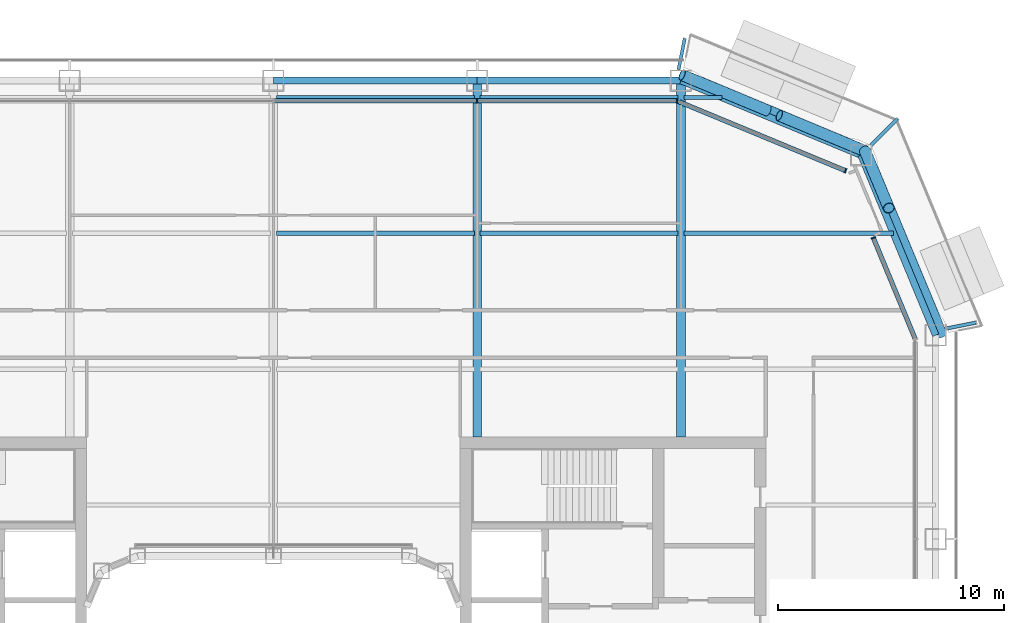
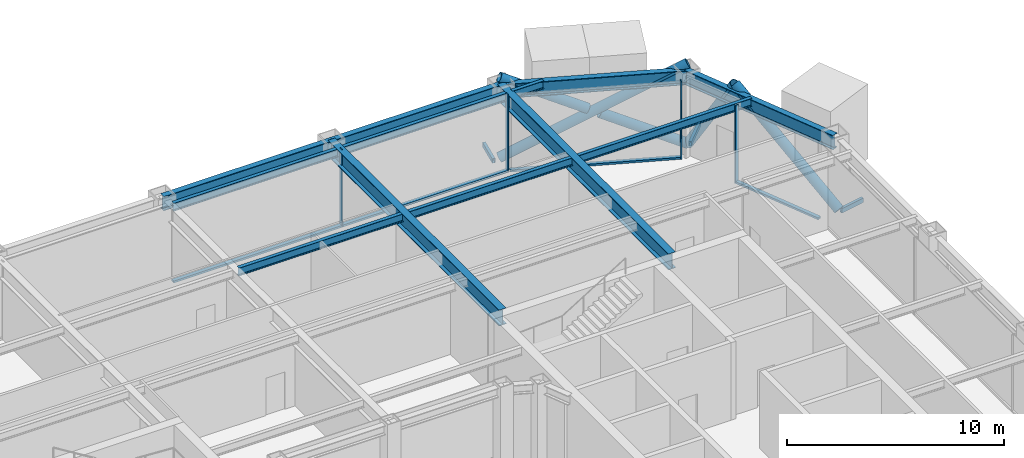
# One storey, part 9 of 24: 15 beams, 13 members, 3 elements without a shape of their own.
"""IFC4 building model written with IfcOpenShell, lengths in metres."""

import ifcopenshell
import ifcopenshell.guid

model = None  # the IFC model being written
_history = None  # IfcOwnerHistory: only IFC2X3 demands one
_inside = {}  # id of a spatial element -> (the spatial element, [elements in it])
_under = {}  # id of a project, library or spatial element -> (it, [spatial elements below it])
_declared = {}  # id of a project -> (the project, [libraries it declares])
_typed = {}  # id of a type object -> (the type object, [elements of that type])
_made_of = {}  # id of a material, layer set ... -> (it, [elements and type objects made of it])


def new_model(schema):
    """Start an empty IFC model of exactly this schema.

    Asked for "IFC4X3", IfcOpenShell would pick the latest addendum, in which some entities
    have other attributes; the version numbers below select the first issue.
    IFC2X3 requires an IfcOwnerHistory on every rooted entity: one is made here for all.
    """
    global model, _history
    if schema == "IFC4X3":
        model = ifcopenshell.file(schema_version=(4, 3, 0, 0))
    else:
        model = ifcopenshell.file(schema=schema)
    _inside.clear()
    _under.clear()
    _declared.clear()
    _typed.clear()
    _made_of.clear()
    _history = None
    if model.schema == "IFC2X3":
        org = make("IfcOrganization", Name="unknown")
        user = make(
            "IfcPersonAndOrganization",
            ThePerson=make("IfcPerson", FamilyName="unknown"),
            TheOrganization=org,
        )
        app = make(
            "IfcApplication",
            ApplicationDeveloper=org,
            Version="unknown",
            ApplicationFullName="unknown",
            ApplicationIdentifier="unknown",
        )
        _history = make(
            "IfcOwnerHistory",
            OwningUser=user,
            OwningApplication=app,
            ChangeAction="ADDED",
            CreationDate=0,
        )
    return model


def make(cls, **values):
    """One entity of the class cls with the attributes given. An attribute that is None is left unset."""
    return model.create_entity(
        cls, **{name: value for name, value in values.items() if value is not None}
    )


def rooted(cls, **values):
    """An entity with a GlobalId (a new one), such as an element, a storey or a relation."""
    return make(cls, GlobalId=ifcopenshell.guid.new(), OwnerHistory=_history, **values)


def si_unit(unit_type, name, prefix=None):
    """IfcSIUnit, for example si_unit("LENGTHUNIT", "METRE", prefix="MILLI")."""
    return make("IfcSIUnit", UnitType=unit_type, Prefix=prefix, Name=name)


def assignment(units):
    """IfcUnitAssignment: the units of a project."""
    return None if units is None else make("IfcUnitAssignment", Units=units)


def point(xyz):
    """IfcCartesianPoint."""
    return None if xyz is None else make("IfcCartesianPoint", Coordinates=xyz)


def direction(xyz):
    """IfcDirection."""
    return None if xyz is None else make("IfcDirection", DirectionRatios=xyz)


def frame(location, z_axis=None, x_axis=None):
    """IfcAxis2Placement3D, a coordinate frame: its origin and axes. An axis left out is left unset."""
    return make(
        "IfcAxis2Placement3D",
        Location=point(location),
        Axis=direction(z_axis),
        RefDirection=direction(x_axis),
    )


def frame_2d(location, x_axis=None):
    """IfcAxis2Placement2D, a coordinate frame in the plane: its origin and x axis."""
    return make(
        "IfcAxis2Placement2D", Location=point(location), RefDirection=direction(x_axis)
    )


def origin():
    """The frame at (0, 0, 0) with its axes left unset."""
    return frame((0.0, 0.0, 0.0))


def origin_2d():
    """The frame at (0, 0) in the plane with its x axis left unset."""
    return frame_2d((0.0, 0.0))


def place(relative_to, where):
    """IfcLocalPlacement: puts the frame where relative to a parent placement (None: the world)."""
    return make(
        "IfcLocalPlacement", PlacementRelTo=relative_to, RelativePlacement=where
    )


def context(
    kind, dimensions, precision=None, world=None, true_north=None, identifier=None
):
    """IfcGeometricRepresentationContext, for example the 3D "Model" context."""
    return make(
        "IfcGeometricRepresentationContext",
        ContextIdentifier=identifier,
        ContextType=kind,
        CoordinateSpaceDimension=dimensions,
        Precision=precision,
        WorldCoordinateSystem=world,
        TrueNorth=true_north,
    )


def subcontext(parent, identifier, kind, view, scale=None):
    """IfcGeometricRepresentationSubContext, for example "Body" below "Model"."""
    return make(
        "IfcGeometricRepresentationSubContext",
        ContextIdentifier=identifier,
        ContextType=kind,
        ParentContext=parent,
        TargetScale=scale,
        TargetView=view,
    )


def project(units=None, contexts=None):
    """IfcProject with its units and contexts."""
    return rooted(
        "IfcProject",
        Name="project",
        RepresentationContexts=contexts,
        UnitsInContext=assignment(units),
    )


def spatial(cls, under=None, at=None, **own):
    """A site, building, storey or space (cls), placed at a placement, below another one or the project."""
    s = rooted(cls, ObjectPlacement=at, **own)
    if under is not None:
        _under.setdefault(under.id(), (under, []))[1].append(s)
    return s


def profile(cls, at=None, kind="AREA", **sizes):
    """A parametric profile (cls). Its sizes go by their IFC names, for example OverallWidth=200.0."""
    return make(cls, ProfileType=kind, Position=at, **sizes)


def rectangle(**sizes):
    """IfcRectangleProfileDef."""
    return profile("IfcRectangleProfileDef", **sizes)


def hollow_rectangle(**sizes):
    """IfcRectangleHollowProfileDef."""
    return profile("IfcRectangleHollowProfileDef", **sizes)


def hollow_circle(**sizes):
    """IfcCircleHollowProfileDef."""
    return profile("IfcCircleHollowProfileDef", **sizes)


def i_section(**sizes):
    """IfcIShapeProfileDef."""
    return profile("IfcIShapeProfileDef", **sizes)


def extrude(swept, where, along, depth):
    """IfcExtrudedAreaSolid: the profile swept, set in the frame where, extruded along a direction by depth."""
    return make(
        "IfcExtrudedAreaSolid",
        SweptArea=swept,
        Position=where,
        ExtrudedDirection=direction(along),
        Depth=depth,
    )


def shape(context_of_items, identifier, shape_type, items):
    """IfcShapeRepresentation: the items that make up one representation, for example the "Body"."""
    return make(
        "IfcShapeRepresentation",
        ContextOfItems=context_of_items,
        RepresentationIdentifier=identifier,
        RepresentationType=shape_type,
        Items=items,
    )


def material(Name=None, Category=None):
    """IfcMaterial."""
    return make("IfcMaterial", Name=Name, Category=Category)


def layer(
    of_material, thickness, ventilated=None, Name=None, Category=None, Priority=None
):
    """IfcMaterialLayer: one layer of a wall or slab, of a material (None: an air gap)."""
    return make(
        "IfcMaterialLayer",
        Material=of_material,
        LayerThickness=thickness,
        IsVentilated=ventilated,
        Name=Name,
        Category=Category,
        Priority=Priority,
    )


def layer_set(layers, Name=None):
    """IfcMaterialLayerSet."""
    return make("IfcMaterialLayerSet", MaterialLayers=layers, LayerSetName=Name)


def material_profile(
    of_material, cross_section, Name=None, Category=None, Priority=None
):
    """IfcMaterialProfile: a cross section and its material."""
    return make(
        "IfcMaterialProfile",
        Name=Name,
        Material=of_material,
        Profile=cross_section,
        Priority=Priority,
        Category=Category,
    )


def profile_set(profiles, Name=None, composite=None):
    """IfcMaterialProfileSet."""
    return make(
        "IfcMaterialProfileSet",
        Name=Name,
        MaterialProfiles=profiles,
        CompositeProfile=composite,
    )


def made_of(thing, what):
    """Note that an element or type object is made of a material, layer set ...; save() writes the relation."""
    if what is not None:
        _made_of.setdefault(what.id(), (what, []))[1].append(thing)
    return thing


def type_object(cls, material=None, **own):
    """A type object (cls), such as IfcWallType, which elements share."""
    return made_of(rooted(cls, **own), material)


def element(
    cls,
    number,
    at=None,
    inside=None,
    cuts=None,
    type_object=None,
    material=None,
    context=None,
    identifier="Body",
    shape_type=None,
    held_by="IfcProductDefinitionShape",
    body=None,
    shapes=None,
    **own,
):
    """One element of the class cls, such as IfcWall. Its Tag is "e" and its number.

    at: its placement. inside: the storey or other place that contains it. cuts: it is an
    opening in that element (IfcRelVoidsElement). A single representation is given by context,
    identifier, shape_type and body (its items); several are given by shapes. held_by: the class
    of the entity that holds the representations. save() writes the other relations.
    """
    e = rooted(cls, Tag="e%d" % number, ObjectPlacement=at, **own)
    if body is not None:
        shapes = [shape(context, identifier, shape_type, body)]
    if shapes is not None:
        e.Representation = make(held_by, Representations=shapes)
    if inside is not None:
        _inside.setdefault(inside.id(), (inside, []))[1].append(e)
    if cuts is not None:
        rooted(
            "IfcRelVoidsElement", RelatingBuildingElement=cuts, RelatedOpeningElement=e
        )
    if type_object is not None:
        _typed.setdefault(type_object.id(), (type_object, []))[1].append(e)
    return made_of(e, material)


def aggregate(whole, parts):
    """IfcRelAggregates: a whole, such as a stair, and the parts it consists of."""
    return rooted("IfcRelAggregates", RelatingObject=whole, RelatedObjects=parts)


def save(model, path):
    """Write the relations noted so far, then the file.

    IfcRelAggregates (storeys below a building ...), IfcRelContainedInSpatialStructure (elements
    in a storey), IfcRelDefinesByType, IfcRelAssociatesMaterial and IfcRelDeclares: one each for
    every whole, place, type object, material and project.
    """
    for whole, parts in _under.values():
        aggregate(whole, parts)
    for where, things in _inside.values():
        rooted(
            "IfcRelContainedInSpatialStructure",
            RelatedElements=things,
            RelatingStructure=where,
        )
    for kind, things in _typed.values():
        rooted("IfcRelDefinesByType", RelatedObjects=things, RelatingType=kind)
    for what, things in _made_of.values():
        rooted("IfcRelAssociatesMaterial", RelatedObjects=things, RelatingMaterial=what)
    for by, libraries in _declared.values():
        rooted("IfcRelDeclares", RelatingContext=by, RelatedDefinitions=libraries)
    model.write(path)


model = new_model("IFC4")

# Units and contexts
model_context = context("Model", 3, precision=1e-05, world=origin(), true_north=direction((0.0, 1.0)))
body_context = subcontext(model_context, "Body", "Model", "MODEL_VIEW")
ifc_project = project(units=[si_unit("LENGTHUNIT", "METRE"), si_unit("AREAUNIT", "SQUARE_METRE"), si_unit("VOLUMEUNIT", "CUBIC_METRE"), si_unit("PLANEANGLEUNIT", "RADIAN"), si_unit("MASSUNIT", "GRAM", prefix="KILO")], contexts=[model_context])

# Site, building, storey
site_placement = place(None, origin())
site = spatial("IfcSite", under=ifc_project, at=site_placement, CompositionType="ELEMENT")
building_placement = place(site_placement, origin())
building = spatial("IfcBuilding", under=site, at=building_placement, Name="Siwar Civic Tower", CompositionType="ELEMENT")
storey_placement = place(building_placement, frame((0.0, 0.0, 113.699951171875)))
storey = spatial("IfcBuildingStorey", under=building, at=storey_placement, Name="L24", CompositionType="ELEMENT", Elevation=113.699951171875)

# Beams
ifc_material_1 = material(Name="Steel S355", Category="steel")
ifc_material_profile_1 = material_profile(ifc_material_1, hollow_rectangle(XDim=0.14990234375, YDim=0.25, WallThickness=0.010009765625, at=origin_2d()), Name="RHS250x150x10")
ifc_profile_set_1 = profile_set([ifc_material_profile_1], Name="Steel S355")
beam_type_1 = type_object("IfcBeamType", Name="ENV-BALCONY ARM", PredefinedType="BEAM", material=ifc_profile_set_1)
beam_1_placement = place(storey_placement, frame((29.73486328125, 18.30029296875, -0.27490234375), z_axis=(0.980765602568, 0.195189223115, 0.0), x_axis=(-0.195189223115, 0.980765602568, 0.0)))
element("IfcBeam", 1, at=beam_1_placement, inside=storey, type_object=beam_type_1, Name="Balcony cantilever beam NE 1", PredefinedType="BEAM", context=body_context, shape_type="SweptSolid", body=[
    extrude(hollow_rectangle(XDim=0.14990234375, YDim=0.25, WallThickness=0.010009765625, at=origin_2d()), origin(), (0.0, 0.0, 1.0), 1.317138671875),
])
beam_2_placement = place(storey_placement, frame((26.39453125, 26.39453125, -0.27490234375), z_axis=(0.707106781187, 0.707106781187, 0.0), x_axis=(-0.707106781187, 0.707106781187, 0.0)))
element("IfcBeam", 2, at=beam_2_placement, inside=storey, type_object=beam_type_1, Name="Balcony cantilever beam NE 2", PredefinedType="BEAM", context=body_context, shape_type="SweptSolid", body=[
    extrude(hollow_rectangle(XDim=0.14990234375, YDim=0.25, WallThickness=0.010009765625, at=origin_2d()), origin(), (0.0, 0.0, 1.0), 1.6513671875),
])
beam_3_placement = place(storey_placement, frame((17.890625, 29.72509765625, -0.27490234375), z_axis=(0.195114555191, 0.980780459814, 0.0), x_axis=(-0.980780459814, 0.195114555191, 0.0)))
element("IfcBeam", 3, at=beam_3_placement, inside=storey, type_object=beam_type_1, Name="Balcony cantilever beam NE 3", PredefinedType="BEAM", context=body_context, shape_type="SweptSolid", body=[
    extrude(hollow_rectangle(XDim=0.14990234375, YDim=0.25, WallThickness=0.010009765625, at=origin_2d()), origin(), (0.0, 0.0, 1.0), 1.406494140625),
])

# Curtain wall, member
ifc_material_2 = material(Name="Aluminium clad insulated panel", Category="aluminium")
ifc_layer_1 = layer(ifc_material_2, 0.199951171875)
ifc_layer_set_1 = layer_set([ifc_layer_1], Name="Aluminium clad insulated panel")
curtain_wall_type_1 = type_object("IfcCurtainWallType", Name="ENV-CW-BX", PredefinedType="NOTDEFINED", material=ifc_layer_set_1)
curtain_wall_1_placement = place(storey_placement, origin())
curtain_wall_1 = element("IfcCurtainWall", 4, at=curtain_wall_1_placement, inside=storey, type_object=curtain_wall_type_1, Name="Curtain wall B NE1", PredefinedType="NOTDEFINED")
ifc_material_3 = material(Name="Aluminium 6063-T6", Category="aluminium")
ifc_material_profile_2 = material_profile(ifc_material_3, rectangle(XDim=0.199951171875, YDim=0.06494140625, at=origin_2d()), Name="AL 200x65")
ifc_profile_set_2 = profile_set([ifc_material_profile_2], Name="Aluminium 6063-T6")
member_type_1 = type_object("IfcMemberType", Name="ENV-MULLION-B", PredefinedType="MULLION", material=ifc_profile_set_2)
member_1_placement = place(storey_placement, frame((26.4951171875, 22.299072265625, 0.0), z_axis=(0.0, 0.0, 1.0), x_axis=(-0.923879532511, -0.382683432365, 0.0)))
member_1 = element("IfcMember", 5, at=member_1_placement, type_object=member_type_1, Name="Mullion B NE1 2", PredefinedType="MULLION", context=body_context, shape_type="SweptSolid", body=[
    extrude(rectangle(XDim=0.199951171875, YDim=0.06494140625, at=origin_2d()), origin(), (0.0, 0.0, 1.0), 4.35009765625),
])

curtain_wall_2_placement = place(storey_placement, origin())
curtain_wall_2 = element("IfcCurtainWall", 6, at=curtain_wall_2_placement, inside=storey, type_object=curtain_wall_type_1, Name="Curtain wall B NE2", PredefinedType="NOTDEFINED")
member_2_placement = place(storey_placement, frame((25.26611328125, 25.26611328125, 0.0), z_axis=(0.0, 0.0, 1.0), x_axis=(-0.382683432365, -0.923879532511, 0.0)))
member_2 = element("IfcMember", 7, at=member_2_placement, type_object=member_type_1, Name="Mullion B NE2 1", PredefinedType="MULLION", context=body_context, shape_type="SweptSolid", body=[
    extrude(rectangle(XDim=0.199951171875, YDim=0.06494140625, at=origin_2d()), origin(), (0.0, 0.0, 1.0), 4.35009765625),
])

# Curtain wall, members
ifc_material_4 = material(Name="Aluminium and glass", Category="aluminium")
ifc_layer_2 = layer(ifc_material_4, 0.199951171875)
ifc_layer_set_2 = layer_set([ifc_layer_2], Name="Aluminium and glass")
curtain_wall_type_2 = type_object("IfcCurtainWallType", Name="ENV-CW-B", PredefinedType="NOTDEFINED", material=ifc_layer_set_2)
curtain_wall_3_placement = place(storey_placement, origin())
curtain_wall_3 = element("IfcCurtainWall", 8, at=curtain_wall_3_placement, inside=storey, type_object=curtain_wall_type_2, Name="Curtain wall B N", PredefinedType="NOTDEFINED")
member_3_placement = place(storey_placement, frame((17.821044921875, 28.35009765625, 0.0), z_axis=(0.0, 0.0, 1.0), x_axis=(0.0, -1.0, 0.0)))
member_3 = element("IfcMember", 9, at=member_3_placement, type_object=member_type_1, Name="Mullion B N 1", PredefinedType="MULLION", context=body_context, shape_type="SweptSolid", body=[
    extrude(rectangle(XDim=0.199951171875, YDim=0.06494140625, at=origin_2d()), origin(), (0.0, 0.0, 1.0), 4.35009765625),
])
member_4_placement = place(storey_placement, frame((9.0, 28.35009765625, 0.0), z_axis=(0.0, 0.0, 1.0), x_axis=(0.0, -1.0, 0.0)))
member_4 = element("IfcMember", 10, at=member_4_placement, type_object=member_type_1, Name="Mullion B N 2", PredefinedType="MULLION", context=body_context, shape_type="SweptSolid", body=[
    extrude(rectangle(XDim=0.199951171875, YDim=0.06494140625, at=origin_2d()), origin(), (0.0, 0.0, 1.0), 4.35009765625),
])

# Member
ifc_material_5 = material(Name="Aluminium 6063-T6", Category="aluminium")
ifc_material_profile_3 = material_profile(ifc_material_5, rectangle(XDim=0.199951171875, YDim=0.110107421875, at=origin_2d()), Name="AL 200x110")
ifc_profile_set_3 = profile_set([ifc_material_profile_3], Name="Aluminium 6063-T6")
member_type_2 = type_object("IfcMemberType", Name="ENV-TRANSOM-B", PredefinedType="USERDEFINED", material=ifc_profile_set_3)
member_5_placement = place(storey_placement, frame((28.337646484375, 17.85107421875, 0.054931640625), z_axis=(-0.382700487371, 0.923872467912, 0.0), x_axis=(-0.923872467912, -0.382700487371, 0.0)))
member_5 = element("IfcMember", 11, at=member_5_placement, type_object=member_type_2, Name="Transom B NE1 1", ObjectType="TRANSOM", PredefinedType="USERDEFINED", context=body_context, shape_type="SweptSolid", body=[
    extrude(rectangle(XDim=0.199951171875, YDim=0.110107421875, at=origin_2d()), origin(), (0.0, 0.0, 1.0), 4.781982421875),
])

aggregate(curtain_wall_1, [member_1, member_5])

member_6_placement = place(storey_placement, frame((25.236083984375, 25.278564453125, 0.054931640625), z_axis=(-0.923883705044, 0.382673358825, 0.0), x_axis=(-0.382673358825, -0.923883705044, 0.0)))
member_6 = element("IfcMember", 12, at=member_6_placement, type_object=member_type_2, Name="Transom B NE2 1", ObjectType="TRANSOM", PredefinedType="USERDEFINED", context=body_context, shape_type="SweptSolid", body=[
    extrude(rectangle(XDim=0.199951171875, YDim=0.110107421875, at=origin_2d()), origin(), (0.0, 0.0, 1.0), 7.912353515625),
])

aggregate(curtain_wall_2, [member_2, member_6])

member_7_placement = place(storey_placement, frame((17.78857421875, 28.35009765625, 0.054931640625), z_axis=(-1.0, 0.0, 0.0), x_axis=(0.0, -1.0, 0.0)))
member_7 = element("IfcMember", 13, at=member_7_placement, type_object=member_type_2, Name="Transom B N 1", ObjectType="TRANSOM", PredefinedType="USERDEFINED", context=body_context, shape_type="SweptSolid", body=[
    extrude(rectangle(XDim=0.199951171875, YDim=0.110107421875, at=origin_2d()), origin(), (0.0, 0.0, 1.0), 8.756103515625),
])

member_8_placement = place(storey_placement, frame((8.967529296875, 28.35009765625, 0.054931640625), z_axis=(-1.0, 0.0, 0.0), x_axis=(0.0, -1.0, 0.0)))
member_8 = element("IfcMember", 14, at=member_8_placement, type_object=member_type_2, Name="Transom B N 2", ObjectType="TRANSOM", PredefinedType="USERDEFINED", context=body_context, shape_type="SweptSolid", body=[
    extrude(rectangle(XDim=0.199951171875, YDim=0.110107421875, at=origin_2d()), origin(), (0.0, 0.0, 1.0), 8.93505859375),
])

aggregate(curtain_wall_3, [member_3, member_4, member_7, member_8])

# Members
ifc_material_6 = material(Name="Steel S355", Category="steel")
ifc_material_profile_4 = material_profile(ifc_material_6, hollow_circle(Radius=0.25390625, WallThickness=0.02490234375, at=origin_2d()), Name="CHS508x25")
ifc_profile_set_4 = profile_set([ifc_material_profile_4], Name="Steel S355")
member_type_3 = type_object("IfcMemberType", Name="STR-BR-CHS508x25", PredefinedType="BRACE", material=ifc_profile_set_4)
member_9_placement = place(storey_placement, frame((18.048828125, 29.4951171875, 0.0), z_axis=(0.821142553604, -0.341671493852, 0.457149315816), x_axis=(0.384163874976, 0.923264922524, 0.0)))
element("IfcMember", 15, at=member_9_placement, inside=storey, type_object=member_type_3, Name="L24/brc/BNE1-3-0-1", PredefinedType="BRACE", context=body_context, shape_type="SweptSolid", body=[
    extrude(hollow_circle(Radius=0.25390625, WallThickness=0.02490234375, at=origin_2d()), origin(), (0.0, 0.0, 1.0), 9.843505859375),
])
member_10_placement = place(storey_placement, frame((26.1318359375, 26.1318359375, 0.0), z_axis=(-0.821143275065, 0.341662474736, 0.457154760636), x_axis=(-0.384154943021, -0.923268638995, 0.0)))
element("IfcMember", 16, at=member_10_placement, inside=storey, type_object=member_type_3, Name="L24/brc/BNE1-3-0-2", PredefinedType="BRACE", context=body_context, shape_type="SweptSolid", body=[
    extrude(hollow_circle(Radius=0.25390625, WallThickness=0.02490234375, at=origin_2d()), origin(), (0.0, 0.0, 1.0), 4.61474609375),
])
member_11_placement = place(storey_placement, frame((21.837890625, 27.91845703125, 2.390625), z_axis=(-0.821145902409, 0.34168558233, 0.457132770413), x_axis=(-0.384176042158, -0.923259859753, 0.0)))
element("IfcMember", 17, at=member_11_placement, inside=storey, type_object=member_type_3, Name="L24/brc/BNE1-3-0-3", PredefinedType="BRACE", context=body_context, shape_type="SweptSolid", body=[
    extrude(hollow_circle(Radius=0.25390625, WallThickness=0.02490234375, at=origin_2d()), origin(), (0.0, 0.0, 1.0), 4.6142578125),
])
member_12_placement = place(storey_placement, frame((29.4951171875, 18.048828125, 0.0), z_axis=(-0.307903068035, 0.739973158344, 0.598026275029), x_axis=(-0.923262455747, -0.384169803352, 0.0)))
element("IfcMember", 18, at=member_12_placement, inside=storey, type_object=member_type_3, Name="L24/brc/BNE1-3-0-0", PredefinedType="BRACE", context=body_context, shape_type="SweptSolid", body=[
    extrude(hollow_circle(Radius=0.25390625, WallThickness=0.02490234375, at=origin_2d()), origin(), (0.0, 0.0, 1.0), 7.524658203125),
])
member_13_placement = place(storey_placement, frame((26.1318359375, 26.1318359375, 0.0), z_axis=(0.198925611165, -0.478099094869, 0.855482236349), x_axis=(0.92327038402, 0.384150749045, 0.0)))
element("IfcMember", 19, at=member_13_placement, inside=storey, type_object=member_type_3, Name="L24/brc/BNE1-3-0-6", PredefinedType="BRACE", context=body_context, shape_type="SweptSolid", body=[
    extrude(hollow_circle(Radius=0.25390625, WallThickness=0.02490234375, at=origin_2d()), origin(), (0.0, 0.0, 1.0), 5.26025390625),
])

# Beams
ifc_material_7 = material(Name="Steel S355", Category="steel")
ifc_material_profile_5 = material_profile(ifc_material_7, i_section(OverallWidth=0.18994140625, OverallDepth=0.449951171875, WebThickness=0.009521484375, FlangeThickness=0.0146484375, FilletRadius=0.02099609375, at=origin_2d()), Name="IPE450")
ifc_profile_set_5 = profile_set([ifc_material_profile_5], Name="Steel S355")
beam_type_2 = type_object("IfcBeamType", Name="STR-FB-IPE450", PredefinedType="JOIST", material=ifc_profile_set_5)
for number, where, z_axis, x_axis, name in (
    (20, (0.1298828125, 22.5, 4.125), (1.0, 0.0, 0.0), (0.0, 1.0, 0.0), "L24/bm/F040"),
    (21, (9.1298828125, 22.5, 4.125), (1.0, 0.0, 0.0), (0.0, 1.0, 0.0), "L24/bm/F041"),
):
    element("IfcBeam", number, at=place(storey_placement, frame(where, z_axis=z_axis, x_axis=x_axis)), inside=storey, type_object=beam_type_2, Name=name, PredefinedType="JOIST", context=body_context, shape_type="SweptSolid", body=[
        extrude(i_section(OverallWidth=0.18994140625, OverallDepth=0.449951171875, WebThickness=0.009521484375, FlangeThickness=0.0146484375, FilletRadius=0.02099609375, at=origin_2d()), origin(), (0.0, 0.0, 1.0), 8.740234375),
    ])
beam_4_placement = place(storey_placement, frame((18.1298828125, 22.5, 4.125), z_axis=(1.0, 0.0, 0.0), x_axis=(0.0, 1.0, 0.0)))
element("IfcBeam", 22, at=beam_4_placement, inside=storey, type_object=beam_type_2, Name="L24/bm/F042", PredefinedType="JOIST", context=body_context, shape_type="SweptSolid", body=[
    extrude(i_section(OverallWidth=0.18994140625, OverallDepth=0.449951171875, WebThickness=0.009521484375, FlangeThickness=0.0146484375, FilletRadius=0.02099609375, at=origin_2d()), origin(), (0.0, 0.0, 1.0), 9.256103515625),
])
for number, where, z_axis, x_axis, name in (
    (23, (0.1298828125, 28.5, 4.125), (1.0, 0.0, 0.0), (0.0, 1.0, 0.0), "L24/bm/F046"),
    (24, (9.1298828125, 28.5, 4.125), (1.0, 0.0, 0.0), (0.0, 1.0, 0.0), "L24/bm/F047"),
):
    element("IfcBeam", number, at=place(storey_placement, frame(where, z_axis=z_axis, x_axis=x_axis)), inside=storey, type_object=beam_type_2, Name=name, PredefinedType="JOIST", context=body_context, shape_type="SweptSolid", body=[
        extrude(i_section(OverallWidth=0.18994140625, OverallDepth=0.449951171875, WebThickness=0.009521484375, FlangeThickness=0.0146484375, FilletRadius=0.02099609375, at=origin_2d()), origin(), (0.0, 0.0, 1.0), 8.740234375),
    ])
beam_5_placement = place(storey_placement, frame((18.1298828125, 28.5, 4.125), z_axis=(1.0, 0.0, 0.0), x_axis=(0.0, 1.0, 0.0)))
element("IfcBeam", 25, at=beam_5_placement, inside=storey, type_object=beam_type_2, Name="L24/bm/F048", PredefinedType="JOIST", context=body_context, shape_type="SweptSolid", body=[
    extrude(i_section(OverallWidth=0.18994140625, OverallDepth=0.449951171875, WebThickness=0.009521484375, FlangeThickness=0.0146484375, FilletRadius=0.02099609375, at=origin_2d()), origin(), (0.0, 0.0, 1.0), 1.6806640625),
])
ifc_material_8 = material(Name="Steel S355", Category="steel")
ifc_material_profile_6 = material_profile(ifc_material_8, i_section(OverallWidth=0.3798828125, OverallDepth=0.89990234375, WebThickness=0.01611328125, FlangeThickness=0.035888671875, at=origin_2d()), Name="PG900x380x16x36")
ifc_profile_set_6 = profile_set([ifc_material_profile_6], Name="Steel S355")
beam_type_3 = type_object("IfcBeamType", Name="STR-PG-PG900x380x16x36", PredefinedType="BEAM", material=ifc_profile_set_6)
for number, where, z_axis, x_axis, name in (
    (26, (9.0, 13.5, 3.900146484375), (0.0, 1.0, 0.0), (-1.0, 0.0, 0.0), "L24/bm/G08"),
    (27, (18.0, 13.5, 3.900146484375), (0.0, 1.0, 0.0), (-1.0, 0.0, 0.0), "L24/bm/G10"),
):
    element("IfcBeam", number, at=place(storey_placement, frame(where, z_axis=z_axis, x_axis=x_axis)), inside=storey, type_object=beam_type_3, Name=name, PredefinedType="BEAM", context=body_context, shape_type="SweptSolid", body=[
        extrude(i_section(OverallWidth=0.3798828125, OverallDepth=0.89990234375, WebThickness=0.01611328125, FlangeThickness=0.035888671875, at=origin_2d()), origin(), (0.0, 0.0, 1.0), 15.75),
    ])
ifc_material_9 = material(Name="Steel S355", Category="steel")
ifc_material_profile_7 = material_profile(ifc_material_9, i_section(OverallWidth=0.300048828125, OverallDepth=0.800048828125, WebThickness=0.017578125, FlangeThickness=0.032958984375, FilletRadius=0.030029296875, at=origin_2d()), Name="HEB800")
ifc_profile_set_7 = profile_set([ifc_material_profile_7], Name="Steel S355")
beam_type_4 = type_object("IfcBeamType", Name="STR-SB-HEB800", PredefinedType="BEAM", material=ifc_profile_set_7)
for number, where, z_axis, x_axis, name in (
    (28, (29.25, 18.0, 3.949951171875), (-0.382699877515, 0.923872720536, 0.0), (-0.923872720536, -0.382699877515, 0.0), "L24/bm/SNE1-0"),
    (29, (25.954833984375, 25.954833984375, 3.949951171875), (-0.923872720536, 0.382699877515, 0.0), (-0.382699877515, -0.923872720536, 0.0), "L24/bm/SNE2-0"),
):
    element("IfcBeam", number, at=place(storey_placement, frame(where, z_axis=z_axis, x_axis=x_axis)), inside=storey, type_object=beam_type_4, Name=name, PredefinedType="BEAM", context=body_context, shape_type="SweptSolid", body=[
        extrude(i_section(OverallWidth=0.300048828125, OverallDepth=0.800048828125, WebThickness=0.017578125, FlangeThickness=0.032958984375, FilletRadius=0.030029296875, at=origin_2d()), origin(), (0.0, 0.0, 1.0), 8.6103515625),
    ])
for number, where, z_axis, x_axis, name in (
    (30, (18.0, 29.25, 3.949951171875), (-1.0, 0.0, 0.0), (0.0, -1.0, 0.0), "L24/bm/SN-0"),
    (31, (9.0, 29.25, 3.949951171875), (-1.0, 0.0, 0.0), (0.0, -1.0, 0.0), "L24/bm/SN-1"),
):
    element("IfcBeam", number, at=place(storey_placement, frame(where, z_axis=z_axis, x_axis=x_axis)), inside=storey, type_object=beam_type_4, Name=name, PredefinedType="BEAM", context=body_context, shape_type="SweptSolid", body=[
        extrude(i_section(OverallWidth=0.300048828125, OverallDepth=0.800048828125, WebThickness=0.017578125, FlangeThickness=0.032958984375, FilletRadius=0.030029296875, at=origin_2d()), origin(), (0.0, 0.0, 1.0), 9.0),
    ])

save(model, "model.ifc")
